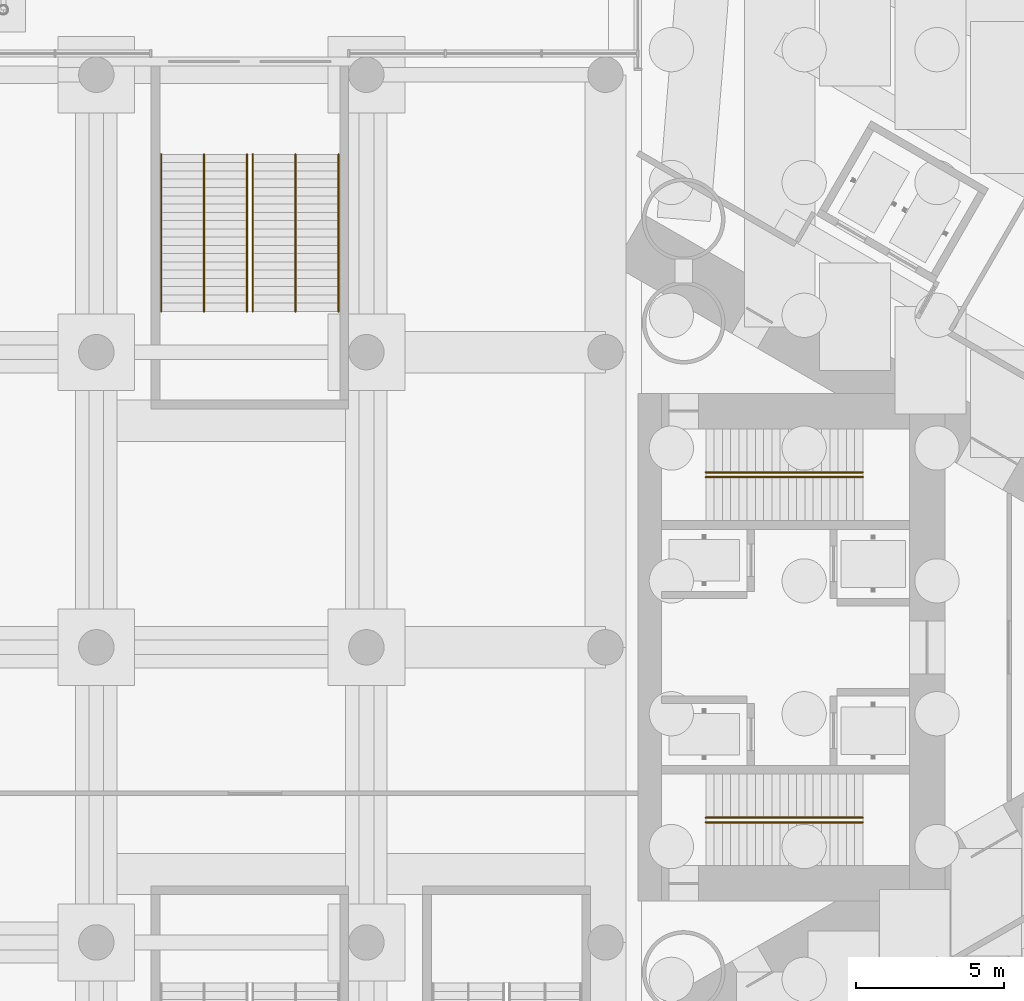
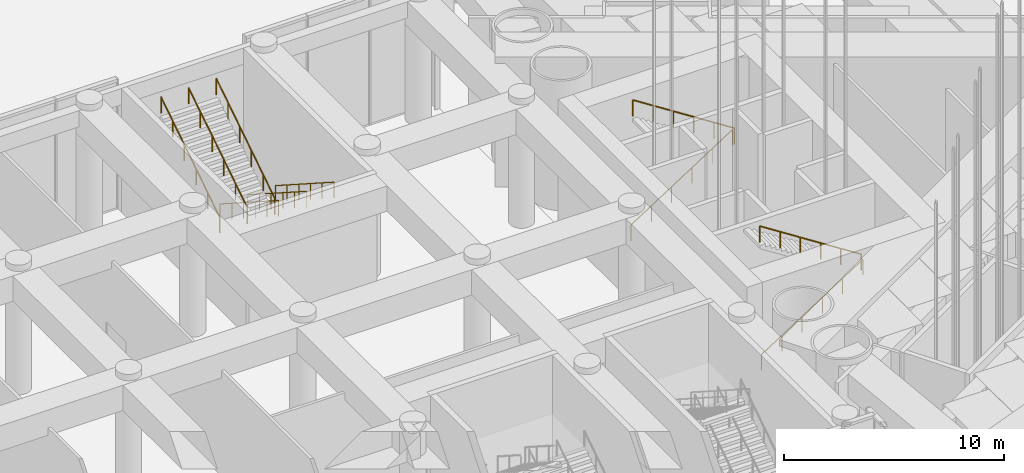
# One storey, part 28 of 43: 10 railings.
"""IFC4 building model written with IfcOpenShell, lengths in metres."""

from ifc_helpers import new_model, si_unit, direction, frame, origin, origin_2d, place, context, subcontext, project, spatial, circle, extrude, material, type_object, element, save


model = new_model("IFC4")

# Units and contexts
model_context = context("Model", 3, precision=1e-05, world=origin(), true_north=direction((0.0, 1.0)))
body_context = subcontext(model_context, "Body", "Model", "MODEL_VIEW")
ifc_project = project(units=[si_unit("LENGTHUNIT", "METRE"), si_unit("AREAUNIT", "SQUARE_METRE"), si_unit("VOLUMEUNIT", "CUBIC_METRE"), si_unit("PLANEANGLEUNIT", "RADIAN"), si_unit("MASSUNIT", "GRAM", prefix="KILO")], contexts=[model_context])

# Site, building, storey
site_placement = place(None, origin())
site = spatial("IfcSite", under=ifc_project, at=site_placement, CompositionType="ELEMENT")
building_placement = place(site_placement, origin())
building = spatial("IfcBuilding", under=site, at=building_placement, Name="Lancet Gate Hotel", CompositionType="ELEMENT")
storey_placement = place(building_placement, origin())
storey = spatial("IfcBuildingStorey", under=building, at=storey_placement, Name="L00", CompositionType="ELEMENT", Elevation=0.0)

# Railings
ifc_material_1 = material(Name="Stainless steel handrail", Category="steel")
railing_type_1 = type_object("IfcRailingType", Name="Stair centre handrail 900", PredefinedType="HANDRAIL", material=ifc_material_1)
railing_1_placement = place(storey_placement, frame((15.89990234375, 16.699951171875, 0.179931640625)))
element("IfcRailing", 1, at=railing_1_placement, inside=storey, type_object=railing_type_1, Name="PS2 handrail flight 1 centre L00", PredefinedType="HANDRAIL", context=body_context, shape_type="SweptSolid", body=[
    extrude(circle(Radius=0.02392578125, at=origin_2d()), frame((0.0, 0.0, 0.8759765625), z_axis=(0.0, -0.841169695817, 0.540771248162), x_axis=(1.0, 0.0, 0.0)), (0.0, 0.0, 1.0), 6.32470703125),
    extrude(circle(Radius=0.02099609375, at=origin_2d()), origin(), (0.0, 0.0, 1.0), 0.851806640625),
    extrude(circle(Radius=0.02099609375, at=origin_2d()), frame((0.0, -1.06396484375, 0.68408203125)), (0.0, 0.0, 1.0), 0.851806640625),
    extrude(circle(Radius=0.02099609375, at=origin_2d()), frame((0.0, -2.1279296875, 1.3681640625)), (0.0, 0.0, 1.0), 0.851806640625),
    extrude(circle(Radius=0.02099609375, at=origin_2d()), frame((0.0, -3.192138671875, 2.052001953125)), (0.0, 0.0, 1.0), 0.851806640625),
    extrude(circle(Radius=0.02099609375, at=origin_2d()), frame((0.0, -4.256103515625, 2.736083984375)), (0.0, 0.0, 1.0), 0.851806640625),
    extrude(circle(Radius=0.02099609375, at=origin_2d()), frame((0.0, -5.320068359375, 3.420166015625)), (0.0, 0.0, 1.0), 0.851806640625),
])
railing_2_placement = place(storey_placement, frame((12.800048828125, 11.3798828125, 3.780029296875)))
element("IfcRailing", 2, at=railing_2_placement, inside=storey, type_object=railing_type_1, Name="PS2 handrail flight 2 centre L00", PredefinedType="HANDRAIL", context=body_context, shape_type="SweptSolid", body=[
    extrude(circle(Radius=0.02392578125, at=origin_2d()), frame((0.0, 0.0, 0.8759765625), z_axis=(0.0, 0.841187254898, 0.540743934037), x_axis=(-1.0, 0.0, 0.0)), (0.0, 0.0, 1.0), 6.324462890625),
    extrude(circle(Radius=0.02099609375, at=origin_2d()), origin(), (0.0, 0.0, 1.0), 0.851806640625),
    extrude(circle(Radius=0.02099609375, at=origin_2d()), frame((0.0, 1.06396484375, 0.68408203125)), (0.0, 0.0, 1.0), 0.851806640625),
    extrude(circle(Radius=0.02099609375, at=origin_2d()), frame((0.0, 2.1279296875, 1.367919921875)), (0.0, 0.0, 1.0), 0.851806640625),
    extrude(circle(Radius=0.02099609375, at=origin_2d()), frame((0.0, 3.192138671875, 2.052001953125)), (0.0, 0.0, 1.0), 0.851806640625),
    extrude(circle(Radius=0.02099609375, at=origin_2d()), frame((0.0, 4.256103515625, 2.73583984375)), (0.0, 0.0, 1.0), 0.851806640625),
    extrude(circle(Radius=0.02099609375, at=origin_2d()), frame((0.0, 5.320068359375, 3.419921875)), (0.0, 0.0, 1.0), 0.851806640625),
])
ifc_material_2 = material(Name="Stainless steel handrail", Category="steel")
railing_type_2 = type_object("IfcRailingType", Name="Stair handrail 900", PredefinedType="HANDRAIL", material=ifc_material_2)
railing_3_placement = place(storey_placement, frame((29.800048828125, -5.929931640625, 0.179931640625)))
element("IfcRailing", 3, at=railing_3_placement, inside=storey, type_object=railing_type_2, Name="ST3 handrail flight 1 L00", PredefinedType="HANDRAIL", context=body_context, shape_type="SweptSolid", body=[
    extrude(circle(Radius=0.02392578125, at=origin_2d()), frame((0.0, 0.0, 0.8759765625), z_axis=(0.841169695817, 0.0, 0.540771248162), x_axis=(0.0, 1.0, 0.0)), (0.0, 0.0, 1.0), 6.32470703125),
    extrude(circle(Radius=0.02099609375, at=origin_2d()), origin(), (0.0, 0.0, 1.0), 0.851806640625),
    extrude(circle(Radius=0.02099609375, at=origin_2d()), frame((1.06396484375, 0.0, 0.68408203125)), (0.0, 0.0, 1.0), 0.851806640625),
    extrude(circle(Radius=0.02099609375, at=origin_2d()), frame((2.1279296875, 0.0, 1.3681640625)), (0.0, 0.0, 1.0), 0.851806640625),
    extrude(circle(Radius=0.02099609375, at=origin_2d()), frame((3.192138671875, 0.0, 2.052001953125)), (0.0, 0.0, 1.0), 0.851806640625),
    extrude(circle(Radius=0.02099609375, at=origin_2d()), frame((4.256103515625, 0.0, 2.736083984375)), (0.0, 0.0, 1.0), 0.851806640625),
    extrude(circle(Radius=0.02099609375, at=origin_2d()), frame((5.320068359375, 0.0, 3.420166015625)), (0.0, 0.0, 1.0), 0.851806640625),
])
railing_4_placement = place(storey_placement, frame((35.1201171875, -5.77001953125, 3.780029296875)))
element("IfcRailing", 4, at=railing_4_placement, inside=storey, type_object=railing_type_2, Name="ST3 handrail flight 2 L00", PredefinedType="HANDRAIL", context=body_context, shape_type="SweptSolid", body=[
    extrude(circle(Radius=0.02392578125, at=origin_2d()), frame((0.0, 0.0, 0.8759765625), z_axis=(-0.841187254898, 0.0, 0.540743934037), x_axis=(0.0, -1.0, 0.0)), (0.0, 0.0, 1.0), 6.324462890625),
    extrude(circle(Radius=0.02099609375, at=origin_2d()), origin(), (0.0, 0.0, 1.0), 0.851806640625),
    extrude(circle(Radius=0.02099609375, at=origin_2d()), frame((-1.06396484375, 0.0, 0.68408203125)), (0.0, 0.0, 1.0), 0.851806640625),
    extrude(circle(Radius=0.02099609375, at=origin_2d()), frame((-2.1279296875, 0.0, 1.367919921875)), (0.0, 0.0, 1.0), 0.851806640625),
    extrude(circle(Radius=0.02099609375, at=origin_2d()), frame((-3.192138671875, 0.0, 2.052001953125)), (0.0, 0.0, 1.0), 0.851806640625),
    extrude(circle(Radius=0.02099609375, at=origin_2d()), frame((-4.256103515625, 0.0, 2.73583984375)), (0.0, 0.0, 1.0), 0.851806640625),
    extrude(circle(Radius=0.02099609375, at=origin_2d()), frame((-5.320068359375, 0.0, 3.419921875)), (0.0, 0.0, 1.0), 0.851806640625),
])
railing_5_placement = place(storey_placement, frame((29.800048828125, 5.929931640625, 0.179931640625)))
element("IfcRailing", 5, at=railing_5_placement, inside=storey, type_object=railing_type_2, Name="ST4 handrail flight 1 L00", PredefinedType="HANDRAIL", context=body_context, shape_type="SweptSolid", body=[
    extrude(circle(Radius=0.02392578125, at=origin_2d()), frame((0.0, 0.0, 0.8759765625), z_axis=(0.841169695817, 0.0, 0.540771248162), x_axis=(0.0, 1.0, 0.0)), (0.0, 0.0, 1.0), 6.32470703125),
    extrude(circle(Radius=0.02099609375, at=origin_2d()), origin(), (0.0, 0.0, 1.0), 0.851806640625),
    extrude(circle(Radius=0.02099609375, at=origin_2d()), frame((1.06396484375, 0.0, 0.68408203125)), (0.0, 0.0, 1.0), 0.851806640625),
    extrude(circle(Radius=0.02099609375, at=origin_2d()), frame((2.1279296875, 0.0, 1.3681640625)), (0.0, 0.0, 1.0), 0.851806640625),
    extrude(circle(Radius=0.02099609375, at=origin_2d()), frame((3.192138671875, 0.0, 2.052001953125)), (0.0, 0.0, 1.0), 0.851806640625),
    extrude(circle(Radius=0.02099609375, at=origin_2d()), frame((4.256103515625, 0.0, 2.736083984375)), (0.0, 0.0, 1.0), 0.851806640625),
    extrude(circle(Radius=0.02099609375, at=origin_2d()), frame((5.320068359375, 0.0, 3.420166015625)), (0.0, 0.0, 1.0), 0.851806640625),
])
railing_6_placement = place(storey_placement, frame((35.1201171875, 5.77001953125, 3.780029296875)))
element("IfcRailing", 6, at=railing_6_placement, inside=storey, type_object=railing_type_2, Name="ST4 handrail flight 2 L00", PredefinedType="HANDRAIL", context=body_context, shape_type="SweptSolid", body=[
    extrude(circle(Radius=0.02392578125, at=origin_2d()), frame((0.0, 0.0, 0.8759765625), z_axis=(-0.841187254898, 0.0, 0.540743934037), x_axis=(0.0, -1.0, 0.0)), (0.0, 0.0, 1.0), 6.324462890625),
    extrude(circle(Radius=0.02099609375, at=origin_2d()), origin(), (0.0, 0.0, 1.0), 0.851806640625),
    extrude(circle(Radius=0.02099609375, at=origin_2d()), frame((-1.06396484375, 0.0, 0.68408203125)), (0.0, 0.0, 1.0), 0.851806640625),
    extrude(circle(Radius=0.02099609375, at=origin_2d()), frame((-2.1279296875, 0.0, 1.367919921875)), (0.0, 0.0, 1.0), 0.851806640625),
    extrude(circle(Radius=0.02099609375, at=origin_2d()), frame((-3.192138671875, 0.0, 2.052001953125)), (0.0, 0.0, 1.0), 0.851806640625),
    extrude(circle(Radius=0.02099609375, at=origin_2d()), frame((-4.256103515625, 0.0, 2.73583984375)), (0.0, 0.0, 1.0), 0.851806640625),
    extrude(circle(Radius=0.02099609375, at=origin_2d()), frame((-5.320068359375, 0.0, 3.419921875)), (0.0, 0.0, 1.0), 0.851806640625),
])
for number, where, name in (
    (7, (14.449951171875, 16.699951171875, 0.179931640625), "PS2 handrail flight 1 left L00"),
    (8, (17.35009765625, 16.699951171875, 0.179931640625), "PS2 handrail flight 1 right L00"),
):
    element("IfcRailing", number, at=place(storey_placement, frame(where)), inside=storey, type_object=railing_type_2, Name=name, PredefinedType="HANDRAIL", context=body_context, shape_type="SweptSolid", body=[
        extrude(circle(Radius=0.02392578125, at=origin_2d()), frame((0.0, 0.0, 0.8759765625), z_axis=(0.0, -0.841169695817, 0.540771248162), x_axis=(1.0, 0.0, 0.0)), (0.0, 0.0, 1.0), 6.32470703125),
        extrude(circle(Radius=0.02099609375, at=origin_2d()), origin(), (0.0, 0.0, 1.0), 0.851806640625),
        extrude(circle(Radius=0.02099609375, at=origin_2d()), frame((0.0, -1.06396484375, 0.68408203125)), (0.0, 0.0, 1.0), 0.851806640625),
        extrude(circle(Radius=0.02099609375, at=origin_2d()), frame((0.0, -2.1279296875, 1.3681640625)), (0.0, 0.0, 1.0), 0.851806640625),
        extrude(circle(Radius=0.02099609375, at=origin_2d()), frame((0.0, -3.192138671875, 2.052001953125)), (0.0, 0.0, 1.0), 0.851806640625),
        extrude(circle(Radius=0.02099609375, at=origin_2d()), frame((0.0, -4.256103515625, 2.736083984375)), (0.0, 0.0, 1.0), 0.851806640625),
        extrude(circle(Radius=0.02099609375, at=origin_2d()), frame((0.0, -5.320068359375, 3.420166015625)), (0.0, 0.0, 1.0), 0.851806640625),
    ])
for number, where, name in (
    (9, (11.35009765625, 11.3798828125, 3.780029296875), "PS2 handrail flight 2 left L00"),
    (10, (14.25, 11.3798828125, 3.780029296875), "PS2 handrail flight 2 right L00"),
):
    element("IfcRailing", number, at=place(storey_placement, frame(where)), inside=storey, type_object=railing_type_2, Name=name, PredefinedType="HANDRAIL", context=body_context, shape_type="SweptSolid", body=[
        extrude(circle(Radius=0.02392578125, at=origin_2d()), frame((0.0, 0.0, 0.8759765625), z_axis=(0.0, 0.841187254898, 0.540743934037), x_axis=(-1.0, 0.0, 0.0)), (0.0, 0.0, 1.0), 6.324462890625),
        extrude(circle(Radius=0.02099609375, at=origin_2d()), origin(), (0.0, 0.0, 1.0), 0.851806640625),
        extrude(circle(Radius=0.02099609375, at=origin_2d()), frame((0.0, 1.06396484375, 0.68408203125)), (0.0, 0.0, 1.0), 0.851806640625),
        extrude(circle(Radius=0.02099609375, at=origin_2d()), frame((0.0, 2.1279296875, 1.367919921875)), (0.0, 0.0, 1.0), 0.851806640625),
        extrude(circle(Radius=0.02099609375, at=origin_2d()), frame((0.0, 3.192138671875, 2.052001953125)), (0.0, 0.0, 1.0), 0.851806640625),
        extrude(circle(Radius=0.02099609375, at=origin_2d()), frame((0.0, 4.256103515625, 2.73583984375)), (0.0, 0.0, 1.0), 0.851806640625),
        extrude(circle(Radius=0.02099609375, at=origin_2d()), frame((0.0, 5.320068359375, 3.419921875)), (0.0, 0.0, 1.0), 0.851806640625),
    ])

save(model, "model.ifc")
